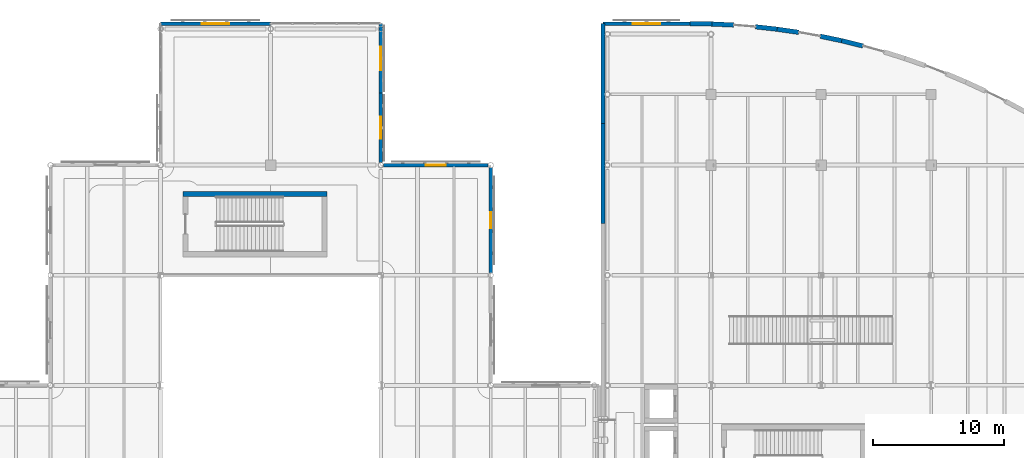
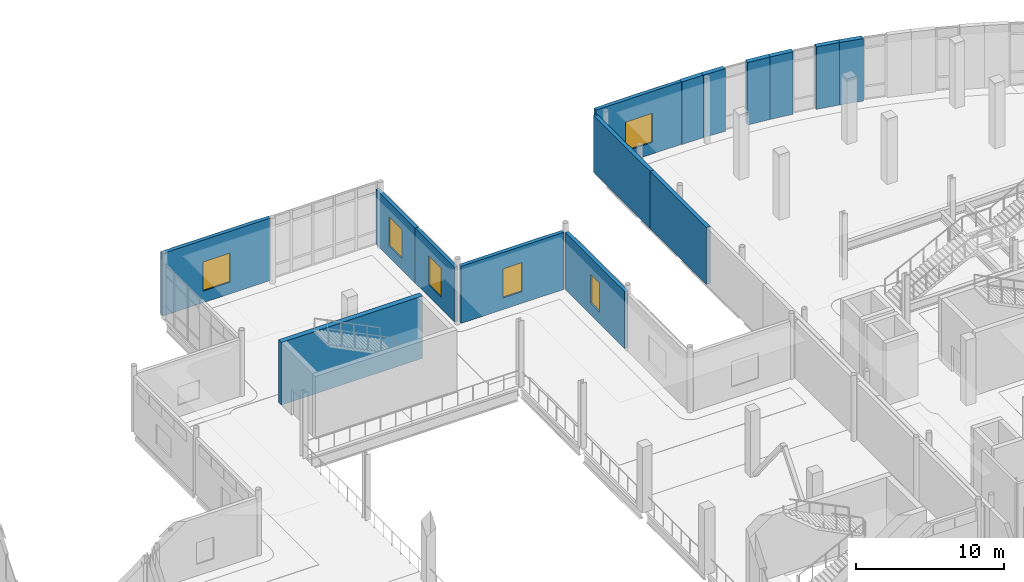
# One storey, part 70 of 110: 15 walls, 6 windows, 6 openings.
"""IFC4 building model written with IfcOpenShell, lengths in metres."""

from ifc_helpers import new_model, si_unit, direction, frame, frame_2d, origin, place, context, subcontext, project, spatial, rectangle, extrude, material, layer, layer_set, type_object, element, fill, save


model = new_model("IFC4")

# Units and contexts
model_context = context("Model", 3, precision=1e-05, world=origin(), true_north=direction((0.0, 1.0)))
body_context = subcontext(model_context, "Body", "Model", "MODEL_VIEW")
ifc_project = project(units=[si_unit("LENGTHUNIT", "METRE"), si_unit("AREAUNIT", "SQUARE_METRE"), si_unit("VOLUMEUNIT", "CUBIC_METRE"), si_unit("PLANEANGLEUNIT", "RADIAN"), si_unit("MASSUNIT", "GRAM", prefix="KILO"), si_unit("THERMODYNAMICTEMPERATUREUNIT", "KELVIN")], contexts=[model_context])

# Site, building, storey
site_placement = place(None, origin())
site = spatial("IfcSite", under=ifc_project, at=site_placement, CompositionType="ELEMENT")
building_placement = place(site_placement, origin())
building = spatial("IfcBuilding", under=site, at=building_placement, Name="Lustrewick Department Store", CompositionType="ELEMENT")
storey_placement = place(building_placement, frame((0.0, 0.0, 6.0)))
storey = spatial("IfcBuildingStorey", under=building, at=storey_placement, Name="L02", CompositionType="ELEMENT", Elevation=6.0)

# Wall, opening, window
ifc_material_1 = material(Name="Precast concrete C40", Category="concrete")
ifc_layer_1 = layer(ifc_material_1, 0.239990234375, Name="Precast concrete C40")
ifc_layer_set_1 = layer_set([ifc_layer_1], Name="Precast concrete C40")
wall_type_1 = type_object("IfcWallType", Name="EW01", PredefinedType="STANDARD", material=ifc_layer_set_1)
wall_1_placement = place(storey_placement, frame((92.39990234375, 100.998046875, 0.0), z_axis=(0.0, 0.0, 1.0), x_axis=(0.0, 1.0, 0.0)))
wall_1 = element("IfcWall", 1, at=wall_1_placement, inside=storey, type_object=wall_type_1, Name="L02 V2 Exterior Wall EW01", PredefinedType="STANDARD", context=body_context, shape_type="SweptSolid", body=[
    extrude(rectangle(XDim=5.301025390625, YDim=0.239990234375, at=frame_2d((2.650390625, 0.0))), origin(), (0.0, 0.0, 1.0), 4.537109375),
])
opening_1_placement = place(wall_1_placement, frame((1.810546875, 0.0, 0.949951171875)))
opening_1 = element("IfcOpeningElement", 2, at=opening_1_placement, cuts=wall_1, Name="Opening WN15", PredefinedType="OPENING", context=body_context, shape_type="SweptSolid", body=[
    extrude(rectangle(XDim=1.679931640625, YDim=2.39990234375, at=frame_2d((0.83984375, 1.199951171875))), frame((0.0, 0.1298828125, 0.0), z_axis=(0.0, -1.0, 0.0), x_axis=(1.0, 0.0, 0.0)), (0.0, 0.0, 1.0), 0.260009765625),
])
ifc_material_2 = material(Name="Thermally broken Low-E triple-glazed window", Category="glass")
window_type_1 = type_object("IfcWindowType", Name="WN15", PartitioningType="DOUBLE_PANEL_VERTICAL", PredefinedType="WINDOW", material=ifc_material_2)
window_1_placement = place(opening_1_placement, origin())
window_1 = element("IfcWindow", 3, at=window_1_placement, inside=storey, type_object=window_type_1, Name="L02 Art Nouveau Window WN15", OverallHeight=2.39990234375, OverallWidth=1.679931640625, PartitioningType="SINGLE_PANEL", PredefinedType="WINDOW", context=body_context, shape_type="SweptSolid", body=[
    extrude(rectangle(XDim=1.679931640625, YDim=2.39990234375, at=frame_2d((0.83984375, 1.199951171875))), frame((0.0, 0.030029296875, 0.0), z_axis=(0.0, -1.0, 0.0), x_axis=(1.0, 0.0, 0.0)), (0.0, 0.0, 1.0), 0.06005859375),
])
fill(opening_1, window_1)

ifc_layer_2 = layer(ifc_material_1, 0.260009765625, Name="Precast concrete C40")
ifc_layer_set_2 = layer_set([ifc_layer_2], Name="Precast concrete C40")
wall_type_2 = type_object("IfcWallType", Name="EW02", PredefinedType="STANDARD", material=ifc_layer_set_2)
wall_2_placement = place(storey_placement, frame((92.39990234375, 106.299072265625, 0.0), z_axis=(0.0, 0.0, 1.0), x_axis=(0.0, 1.0, 0.0)))
wall_2 = element("IfcWall", 4, at=wall_2_placement, inside=storey, type_object=wall_type_2, Name="L02 V2 Exterior Wall EW02", PredefinedType="STANDARD", context=body_context, shape_type="SweptSolid", body=[
    extrude(rectangle(XDim=5.301025390625, YDim=0.260009765625, at=frame_2d((2.650390625, 0.0))), origin(), (0.0, 0.0, 1.0), 4.537109375),
])
opening_2_placement = place(wall_2_placement, frame((1.75048828125, 0.0, 0.949951171875)))
opening_2 = element("IfcOpeningElement", 5, at=opening_2_placement, cuts=wall_2, Name="Opening WN16", PredefinedType="OPENING", context=body_context, shape_type="SweptSolid", body=[
    extrude(rectangle(XDim=1.800048828125, YDim=2.39990234375, at=frame_2d((0.89990234375, 1.199951171875))), frame((0.0, 0.14013671875, 0.0), z_axis=(0.0, -1.0, 0.0), x_axis=(1.0, 0.0, 0.0)), (0.0, 0.0, 1.0), 0.280029296875),
])
window_type_2 = type_object("IfcWindowType", Name="WN16", PartitioningType="DOUBLE_PANEL_VERTICAL", PredefinedType="WINDOW", material=ifc_material_2)
window_2_placement = place(opening_2_placement, origin())
window_2 = element("IfcWindow", 6, at=window_2_placement, inside=storey, type_object=window_type_2, Name="L02 Art Nouveau Window WN16", OverallHeight=2.39990234375, OverallWidth=1.800048828125, PartitioningType="SINGLE_PANEL", PredefinedType="WINDOW", context=body_context, shape_type="SweptSolid", body=[
    extrude(rectangle(XDim=1.800048828125, YDim=2.39990234375, at=frame_2d((0.89990234375, 1.199951171875))), frame((0.0, 0.030029296875, 0.0), z_axis=(0.0, -1.0, 0.0), x_axis=(1.0, 0.0, 0.0)), (0.0, 0.0, 1.0), 0.06005859375),
])
fill(opening_2, window_2)

ifc_layer_3 = layer(ifc_material_1, 0.280029296875, Name="Precast concrete C40")
ifc_layer_set_3 = layer_set([ifc_layer_3], Name="Precast concrete C40")
wall_type_3 = type_object("IfcWallType", Name="EW03", PredefinedType="STANDARD", material=ifc_layer_set_3)
wall_3_placement = place(storey_placement, frame((100.800048828125, 92.58349609375, 0.0), z_axis=(0.0, 0.0, 1.0), x_axis=(0.0, 1.0, 0.0)))
wall_3 = element("IfcWall", 7, at=wall_3_placement, inside=storey, type_object=wall_type_3, Name="L02 V2 Exterior Wall EW03", PredefinedType="STANDARD", context=body_context, shape_type="SweptSolid", body=[
    extrude(rectangle(XDim=8.0185546875, YDim=0.280029296875, at=frame_2d((4.00927734375, 0.0))), origin(), (0.0, 0.0, 1.0), 4.697021484375),
])
opening_3_placement = place(wall_3_placement, frame((3.4091796875, 0.0, 0.949951171875)))
opening_3 = element("IfcOpeningElement", 8, at=opening_3_placement, cuts=wall_3, Name="Opening WN13", PredefinedType="OPENING", context=body_context, shape_type="SweptSolid", body=[
    extrude(rectangle(XDim=1.199951171875, YDim=2.39990234375, at=frame_2d((0.60009765625, 1.199951171875))), frame((0.0, 0.14990234375, 0.0), z_axis=(0.0, -1.0, 0.0), x_axis=(1.0, 0.0, 0.0)), (0.0, 0.0, 1.0), 0.300048828125),
])
window_type_3 = type_object("IfcWindowType", Name="WN13", PartitioningType="DOUBLE_PANEL_VERTICAL", PredefinedType="WINDOW", material=ifc_material_2)
window_3_placement = place(opening_3_placement, origin())
window_3 = element("IfcWindow", 9, at=window_3_placement, inside=storey, type_object=window_type_3, Name="L02 Art Nouveau Window WN13", OverallHeight=2.39990234375, OverallWidth=1.199951171875, PartitioningType="SINGLE_PANEL", PredefinedType="WINDOW", context=body_context, shape_type="SweptSolid", body=[
    extrude(rectangle(XDim=1.199951171875, YDim=2.39990234375, at=frame_2d((0.60009765625, 1.199951171875))), frame((0.0, 0.030029296875, 0.0), z_axis=(0.0, -1.0, 0.0), x_axis=(1.0, 0.0, 0.0)), (0.0, 0.0, 1.0), 0.06005859375),
])
fill(opening_3, window_3)

wall_4_placement = place(storey_placement, frame((100.60205078125, 100.800048828125, 0.0), z_axis=(0.0, 0.0, 1.0), x_axis=(-1.0, 0.0, 0.0)))
wall_4 = element("IfcWall", 10, at=wall_4_placement, inside=storey, type_object=wall_type_3, Name="L02 V2 Exterior Wall EW03", PredefinedType="STANDARD", context=body_context, shape_type="SweptSolid", body=[
    extrude(rectangle(XDim=8.004150390625, YDim=0.280029296875, at=frame_2d((4.001953125, 0.0))), origin(), (0.0, 0.0, 1.0), 4.697021484375),
])
opening_4_placement = place(wall_4_placement, frame((3.251953125, 0.0, 0.949951171875)))
opening_4 = element("IfcOpeningElement", 11, at=opening_4_placement, cuts=wall_4, Name="Opening WN14", PredefinedType="OPENING", context=body_context, shape_type="SweptSolid", body=[
    extrude(rectangle(XDim=1.5, YDim=2.39990234375, at=frame_2d((0.75, 1.199951171875))), frame((0.0, 0.14990234375, 0.0), z_axis=(0.0, -1.0, 0.0), x_axis=(1.0, 0.0, 0.0)), (0.0, 0.0, 1.0), 0.300048828125),
])
window_type_4 = type_object("IfcWindowType", Name="WN14", PartitioningType="DOUBLE_PANEL_VERTICAL", PredefinedType="WINDOW", material=ifc_material_2)
window_4_placement = place(opening_4_placement, origin())
window_4 = element("IfcWindow", 12, at=window_4_placement, inside=storey, type_object=window_type_4, Name="L02 Art Nouveau Window WN14", OverallHeight=2.39990234375, OverallWidth=1.5, PartitioningType="SINGLE_PANEL", PredefinedType="WINDOW", context=body_context, shape_type="SweptSolid", body=[
    extrude(rectangle(XDim=1.5, YDim=2.39990234375, at=frame_2d((0.75, 1.199951171875))), frame((0.0, 0.030029296875, 0.0), z_axis=(0.0, -1.0, 0.0), x_axis=(1.0, 0.0, 0.0)), (0.0, 0.0, 1.0), 0.06005859375),
])
fill(opening_4, window_4)

wall_5_placement = place(storey_placement, frame((84.0, 111.60009765625, 0.0), z_axis=(0.0, 0.0, 1.0), x_axis=(-1.0, 0.0, 0.0)))
wall_5 = element("IfcWall", 13, at=wall_5_placement, inside=storey, type_object=wall_type_3, Name="L02 V2 Exterior Wall EW03", PredefinedType="STANDARD", context=body_context, shape_type="SweptSolid", body=[
    extrude(rectangle(XDim=8.39990234375, YDim=0.280029296875, at=frame_2d((4.199951171875, 0.0))), origin(), (0.0, 0.0, 1.0), 5.14501953125),
])
opening_5_placement = place(wall_5_placement, frame((3.14990234375, 0.0, 0.949951171875)))
opening_5 = element("IfcOpeningElement", 14, at=opening_5_placement, cuts=wall_5, Name="Opening WN17", PredefinedType="OPENING", context=body_context, shape_type="SweptSolid", body=[
    extrude(rectangle(XDim=2.10009765625, YDim=2.39990234375, at=frame_2d((1.050048828125, 1.199951171875))), frame((0.0, 0.14990234375, 0.0), z_axis=(0.0, -1.0, 0.0), x_axis=(1.0, 0.0, 0.0)), (0.0, 0.0, 1.0), 0.300048828125),
])
window_type_5 = type_object("IfcWindowType", Name="WN17", PartitioningType="DOUBLE_PANEL_VERTICAL", PredefinedType="WINDOW", material=ifc_material_2)
window_5_placement = place(opening_5_placement, origin())
window_5 = element("IfcWindow", 15, at=window_5_placement, inside=storey, type_object=window_type_5, Name="L02 Art Nouveau Window WN17", OverallHeight=2.39990234375, OverallWidth=2.10009765625, PartitioningType="SINGLE_PANEL", PredefinedType="WINDOW", context=body_context, shape_type="SweptSolid", body=[
    extrude(rectangle(XDim=2.10009765625, YDim=2.39990234375, at=frame_2d((1.050048828125, 1.199951171875))), frame((0.0, 0.030029296875, 0.0), z_axis=(0.0, -1.0, 0.0), x_axis=(1.0, 0.0, 0.0)), (0.0, 0.0, 1.0), 0.06005859375),
])
fill(opening_5, window_5)

wall_6_placement = place(storey_placement, frame((116.0, 111.60009765625, 0.0), z_axis=(0.0, 0.0, 1.0), x_axis=(-1.0, 0.0, 0.0)))
wall_6 = element("IfcWall", 16, at=wall_6_placement, inside=storey, type_object=wall_type_3, Name="L02 V4 Exterior Wall EW03", PredefinedType="STANDARD", context=body_context, shape_type="SweptSolid", body=[
    extrude(rectangle(XDim=6.64990234375, YDim=0.280029296875, at=frame_2d((3.324951171875, 0.0))), origin(), (0.0, 0.0, 1.0), 5.14501953125),
])
opening_6_placement = place(wall_6_placement, frame((2.27490234375, 0.0, 0.949951171875)))
opening_6 = element("IfcOpeningElement", 17, at=opening_6_placement, cuts=wall_6, Name="Opening WN17", PredefinedType="OPENING", context=body_context, shape_type="SweptSolid", body=[
    extrude(rectangle(XDim=2.10009765625, YDim=2.39990234375, at=frame_2d((1.050048828125, 1.199951171875))), frame((0.0, 0.14990234375, 0.0), z_axis=(0.0, -1.0, 0.0), x_axis=(1.0, 0.0, 0.0)), (0.0, 0.0, 1.0), 0.300048828125),
])
window_6_placement = place(opening_6_placement, origin())
window_6 = element("IfcWindow", 18, at=window_6_placement, inside=storey, type_object=window_type_5, Name="L02 Art Nouveau Window WN17", OverallHeight=2.39990234375, OverallWidth=2.10009765625, PartitioningType="SINGLE_PANEL", PredefinedType="WINDOW", context=body_context, shape_type="SweptSolid", body=[
    extrude(rectangle(XDim=2.10009765625, YDim=2.39990234375, at=frame_2d((1.050048828125, 1.199951171875))), frame((0.0, 0.030029296875, 0.0), z_axis=(0.0, -1.0, 0.0), x_axis=(1.0, 0.0, 0.0)), (0.0, 0.0, 1.0), 0.06005859375),
])
fill(opening_6, window_6)

# Walls
ifc_layer_4 = layer(ifc_material_1, 0.300048828125, Name="Precast concrete C40")
ifc_layer_set_4 = layer_set([ifc_layer_4], Name="Precast concrete C40")
wall_type_4 = type_object("IfcWallType", Name="EW04", PredefinedType="STANDARD", material=ifc_layer_set_4)
for number, where, z_axis, x_axis, name in (
    (19, (109.35009765625, 111.60009765625, 0.0), (0.0, 0.0, 1.0), (0.0, -1.0, 0.0), "L02 V4 Exterior Wall EW04"),
    (20, (109.35009765625, 103.96875, 0.0), (0.0, 0.0, 1.0), (0.0, -1.0, 0.0), "L02 V4 Exterior Wall EW04"),
):
    element("IfcWall", number, at=place(storey_placement, frame(where, z_axis=z_axis, x_axis=x_axis)), inside=storey, type_object=wall_type_4, Name=name, PredefinedType="STANDARD", context=body_context, shape_type="SweptSolid", body=[
        extrude(rectangle(XDim=7.63134765625, YDim=0.300048828125, at=frame_2d((3.815673828125, 0.0))), origin(), (0.0, 0.0, 1.0), 4.697021484375),
    ])
ifc_layer_5 = layer(ifc_material_1, 0.35009765625, Name="Precast concrete C40")
ifc_layer_set_5 = layer_set([ifc_layer_5], Name="Precast concrete C40")
wall_type_5 = type_object("IfcWallType", Name="EW06", PredefinedType="STANDARD", material=ifc_layer_set_5)
wall_7_placement = place(storey_placement, frame((129.18994140625, 109.8994140625, 0.0), z_axis=(0.0, 0.0, 1.0), x_axis=(-0.971226826458, 0.238156359496, 0.0)))
element("IfcWall", 21, at=wall_7_placement, inside=storey, type_object=wall_type_5, Name="L02 V4 Exterior Wall EW06", PredefinedType="STANDARD", context=body_context, shape_type="SweptSolid", body=[
    extrude(rectangle(XDim=1.666748046875, YDim=0.35009765625, at=frame_2d((0.83349609375, 0.0))), origin(), (0.0, 0.0, 1.0), 5.14501953125),
])
for number, where, z_axis, x_axis, name in (
    (22, (127.571044921875, 110.29638671875, 0.0), (0.0, 0.0, 1.0), (-0.978381628468, 0.206807613682, 0.0), "L02 V4 Exterior Wall EW06"),
    (23, (124.29931640625, 110.93359375, 0.0), (0.0, 0.0, 1.0), (-0.989624714051, 0.143676460631, 0.0), "L02 V4 Exterior Wall EW06"),
    (24, (122.649658203125, 111.173095703125, 0.0), (0.0, 0.0, 1.0), (-0.993720125117, 0.111894204214, 0.0), "L02 V4 Exterior Wall EW06"),
    (25, (119.331787109375, 111.4931640625, 0.0), (0.0, 0.0, 1.0), (-0.998845493608, 0.048038316995, 0.0), "L02 V4 Exterior Wall EW06"),
    (26, (117.666748046875, 111.5732421875, 0.0), (0.0, 0.0, 1.0), (-0.999870219029, 0.016110403412, 0.0), "L02 V4 Exterior Wall EW06"),
):
    element("IfcWall", number, at=place(storey_placement, frame(where, z_axis=z_axis, x_axis=x_axis)), inside=storey, type_object=wall_type_5, Name=name, PredefinedType="STANDARD", context=body_context, shape_type="SweptSolid", body=[
        extrude(rectangle(XDim=1.6669921875, YDim=0.35009765625, at=frame_2d((0.83349609375, 0.0))), origin(), (0.0, 0.0, 1.0), 5.14501953125),
    ])
ifc_material_3 = material(Name="Concrete C50", Category="concrete")
ifc_layer_6 = layer(ifc_material_3, 0.39990234375, Name="Concrete C50")
ifc_layer_set_6 = layer_set([ifc_layer_6], Name="Concrete C50")
wall_type_6 = type_object("IfcWallType", Name="SW02", PredefinedType="SHEAR", material=ifc_layer_set_6)
wall_8_placement = place(storey_placement, frame((88.300048828125, 98.60009765625, 0.0), z_axis=(0.0, 0.0, 1.0), x_axis=(-1.0, 0.0, 0.0)))
element("IfcWall", 27, at=wall_8_placement, inside=storey, type_object=wall_type_6, Name="L02 Stair Core ST06 Shear Wall N", PredefinedType="SHEAR", context=body_context, shape_type="SweptSolid", body=[
    extrude(rectangle(XDim=11.0, YDim=0.39990234375, at=frame_2d((5.5, 0.0))), origin(), (0.0, 0.0, 1.0), 5.14501953125),
])

save(model, "model.ifc")
